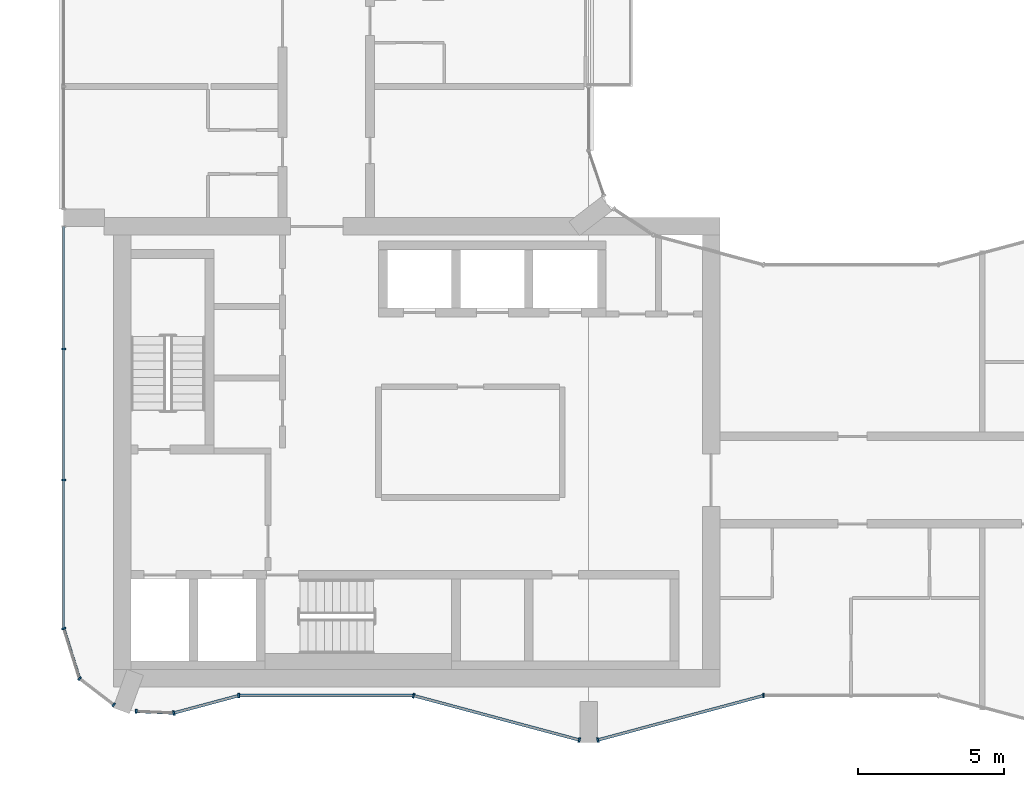
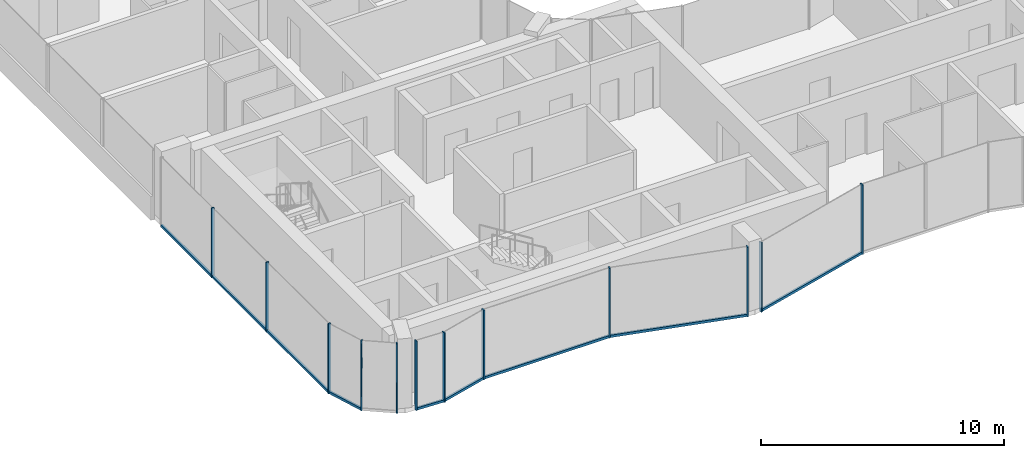
# One storey, part 2 of 15: 19 members, 9 elements without a shape of their own.
"""IFC4 building model written with IfcOpenShell, lengths in metres."""

from ifc_helpers import new_model, si_unit, direction, frame, origin, origin_2d, place, context, subcontext, project, spatial, rectangle, extrude, material, layer, layer_set, material_profile, profile_set, type_object, element, aggregate, save


model = new_model("IFC4")

# Units and contexts
model_context = context("Model", 3, precision=1e-05, world=origin(), true_north=direction((0.0, 1.0)))
body_context = subcontext(model_context, "Body", "Model", "MODEL_VIEW")
ifc_project = project(units=[si_unit("LENGTHUNIT", "METRE"), si_unit("AREAUNIT", "SQUARE_METRE"), si_unit("VOLUMEUNIT", "CUBIC_METRE"), si_unit("PLANEANGLEUNIT", "RADIAN"), si_unit("MASSUNIT", "GRAM", prefix="KILO")], contexts=[model_context])

# Site, building, storey
site_placement = place(None, origin())
site = spatial("IfcSite", under=ifc_project, at=site_placement, CompositionType="ELEMENT")
building_placement = place(site_placement, origin())
building = spatial("IfcBuilding", under=site, at=building_placement, Name="Plateau Cross Towers", CompositionType="ELEMENT")
storey_placement = place(building_placement, frame((0.0, 0.0, 156.89990234375)))
storey = spatial("IfcBuildingStorey", under=building, at=storey_placement, Name="L40", CompositionType="ELEMENT", Elevation=156.89990234375)

# Curtain wall, members
ifc_material_1 = material(Name="Dark low-iron glass", Category="glass")
ifc_layer_1 = layer(ifc_material_1, 0.239990234375)
ifc_layer_set_1 = layer_set([ifc_layer_1], Name="Dark low-iron glass")
curtain_wall_type_1 = type_object("IfcCurtainWallType", Name="Curtain wall flush unitised CW-B", PredefinedType="NOTDEFINED", material=ifc_layer_set_1)
curtain_wall_1_placement = place(storey_placement, origin())
curtain_wall_1 = element("IfcCurtainWall", 1, at=curtain_wall_1_placement, inside=storey, type_object=curtain_wall_type_1, Name="ENV/A/L40/A0_177", PredefinedType="NOTDEFINED")
ifc_material_2 = material(Name="Black anodised aluminium", Category="aluminium")
ifc_material_profile_1 = material_profile(ifc_material_2, rectangle(XDim=0.06005859375, YDim=0.139892578125, at=origin_2d()), Name="MULLION 60x140")
ifc_profile_set_1 = profile_set([ifc_material_profile_1], Name="Black anodised aluminium")
member_type_1 = type_object("IfcMemberType", Name="Mullion 60x140 flush unitised", PredefinedType="MULLION", material=ifc_profile_set_1)
member_1_placement = place(storey_placement, frame((0.0, 13.5, -0.25), z_axis=(0.0, 0.0, 1.0), x_axis=(0.0, -1.0, 0.0)))
member_1 = element("IfcMember", 2, at=member_1_placement, type_object=member_type_1, Name="CW-B mullion 2", PredefinedType="MULLION", context=body_context, shape_type="SweptSolid", body=[
    extrude(rectangle(XDim=0.06005859375, YDim=0.139892578125, at=origin_2d()), origin(), (0.0, 0.0, 1.0), 3.5),
])
member_2_placement = place(storey_placement, frame((0.0, 9.0, -0.25), z_axis=(0.0, 0.0, 1.0), x_axis=(0.0, -1.0, 0.0)))
member_2 = element("IfcMember", 3, at=member_2_placement, type_object=member_type_1, Name="CW-B mullion 3", PredefinedType="MULLION", context=body_context, shape_type="SweptSolid", body=[
    extrude(rectangle(XDim=0.06005859375, YDim=0.139892578125, at=origin_2d()), origin(), (0.0, 0.0, 1.0), 3.5),
])

# Curtain wall, member
curtain_wall_2_placement = place(storey_placement, origin())
curtain_wall_2 = element("IfcCurtainWall", 4, at=curtain_wall_2_placement, inside=storey, type_object=curtain_wall_type_1, Name="ENV/A/L40/A0_39", PredefinedType="NOTDEFINED")
member_3_placement = place(storey_placement, frame((0.0, 3.9091796875, -0.25), z_axis=(0.0, 0.0, 1.0), x_axis=(0.300686174994, -0.95372313811, 0.0)))
member_3 = element("IfcMember", 5, at=member_3_placement, type_object=member_type_1, Name="CW-B mullion 1", PredefinedType="MULLION", context=body_context, shape_type="SweptSolid", body=[
    extrude(rectangle(XDim=0.06005859375, YDim=0.139892578125, at=origin_2d()), origin(), (0.0, 0.0, 1.0), 3.5),
])

# Curtain wall, members
curtain_wall_3_placement = place(storey_placement, origin())
curtain_wall_3 = element("IfcCurtainWall", 6, at=curtain_wall_3_placement, inside=storey, type_object=curtain_wall_type_1, Name="ENV/A/L40/A5_22", PredefinedType="NOTDEFINED")
member_4_placement = place(storey_placement, frame((0.54248046875, 2.1884765625, -0.25), z_axis=(0.0, 0.0, 1.0), x_axis=(0.793315514529, -0.608810721331, 0.0)))
member_4 = element("IfcMember", 7, at=member_4_placement, type_object=member_type_1, Name="CW-B mullion 1", PredefinedType="MULLION", context=body_context, shape_type="SweptSolid", body=[
    extrude(rectangle(XDim=0.06005859375, YDim=0.139892578125, at=origin_2d()), origin(), (0.0, 0.0, 1.0), 3.5),
])
member_5_placement = place(storey_placement, frame((1.709716796875, 1.292724609375, -0.25), z_axis=(0.0, 0.0, 1.0), x_axis=(0.793315514529, -0.608810721331, 0.0)))
member_5 = element("IfcMember", 8, at=member_5_placement, type_object=member_type_1, Name="CW-B mullion 2", PredefinedType="MULLION", context=body_context, shape_type="SweptSolid", body=[
    extrude(rectangle(XDim=0.06005859375, YDim=0.139892578125, at=origin_2d()), origin(), (0.0, 0.0, 1.0), 3.5),
])
aggregate(curtain_wall_3, [member_4, member_5])

# Curtain wall, member
curtain_wall_4_placement = place(storey_placement, origin())
curtain_wall_4 = element("IfcCurtainWall", 9, at=curtain_wall_4_placement, inside=storey, type_object=curtain_wall_type_1, Name="ENV/A/L40/A25_11", PredefinedType="NOTDEFINED")
member_6_placement = place(storey_placement, frame((2.483642578125, 1.06787109375, -0.25), z_axis=(0.0, 0.0, 1.0), x_axis=(0.999043701491, -0.043722791671, 0.0)))
member_6 = element("IfcMember", 10, at=member_6_placement, type_object=member_type_1, Name="CW-B mullion 1", PredefinedType="MULLION", context=body_context, shape_type="SweptSolid", body=[
    extrude(rectangle(XDim=0.06005859375, YDim=0.139892578125, at=origin_2d()), origin(), (0.0, 0.0, 1.0), 3.5),
])

ifc_layer_2 = layer(ifc_material_1, 0.260009765625)
ifc_layer_set_2 = layer_set([ifc_layer_2], Name="Dark low-iron glass")
curtain_wall_type_2 = type_object("IfcCurtainWallType", Name="Curtain wall fluted unitised CW-A", PredefinedType="NOTDEFINED", material=ifc_layer_set_2)
curtain_wall_5_placement = place(storey_placement, origin())
curtain_wall_5 = element("IfcCurtainWall", 11, at=curtain_wall_5_placement, inside=storey, type_object=curtain_wall_type_2, Name="ENV/A/L40/A38_10", PredefinedType="NOTDEFINED")
ifc_material_profile_2 = material_profile(ifc_material_2, rectangle(XDim=0.06005859375, YDim=0.159912109375, at=origin_2d()), Name="MULLION 60x160")
ifc_profile_set_2 = profile_set([ifc_material_profile_2], Name="Black anodised aluminium")
member_type_2 = type_object("IfcMemberType", Name="Mullion 60x160 fluted unitised", PredefinedType="MULLION", material=ifc_profile_set_2)
member_7_placement = place(storey_placement, frame((3.776123046875, 1.01123046875, -0.25), z_axis=(0.0, 0.0, 1.0), x_axis=(0.965957962328, 0.258699081978, 0.0)))
member_7 = element("IfcMember", 12, at=member_7_placement, type_object=member_type_2, Name="CW-A mullion 1", PredefinedType="MULLION", context=body_context, shape_type="SweptSolid", body=[
    extrude(rectangle(XDim=0.06005859375, YDim=0.159912109375, at=origin_2d()), origin(), (0.0, 0.0, 1.0), 3.5),
])

curtain_wall_6_placement = place(storey_placement, origin())
curtain_wall_6 = element("IfcCurtainWall", 13, at=curtain_wall_6_placement, inside=storey, type_object=curtain_wall_type_2, Name="ENV/A/L40/A60_16", PredefinedType="NOTDEFINED")
member_8_placement = place(storey_placement, frame((6.0, 1.60693359375, -0.25), z_axis=(0.0, 0.0, 1.0), x_axis=(1.0, 0.0, 0.0)))
member_8 = element("IfcMember", 14, at=member_8_placement, type_object=member_type_2, Name="CW-A mullion 1", PredefinedType="MULLION", context=body_context, shape_type="SweptSolid", body=[
    extrude(rectangle(XDim=0.06005859375, YDim=0.159912109375, at=origin_2d()), origin(), (0.0, 0.0, 1.0), 3.5),
])

# Curtain wall, members
curtain_wall_7_placement = place(storey_placement, origin())
curtain_wall_7 = element("IfcCurtainWall", 15, at=curtain_wall_7_placement, inside=storey, type_object=curtain_wall_type_2, Name="ENV/A/L40/A120_16", PredefinedType="NOTDEFINED")
member_9_placement = place(storey_placement, frame((12.0, 1.60693359375, -0.25), z_axis=(0.0, 0.0, 1.0), x_axis=(0.965957983404, -0.258699003279, 0.0)))
member_9 = element("IfcMember", 16, at=member_9_placement, type_object=member_type_2, Name="CW-A mullion 1", PredefinedType="MULLION", context=body_context, shape_type="SweptSolid", body=[
    extrude(rectangle(XDim=0.06005859375, YDim=0.159912109375, at=origin_2d()), origin(), (0.0, 0.0, 1.0), 3.5),
])
member_10_placement = place(storey_placement, frame((17.68212890625, 0.085205078125, -0.25), z_axis=(0.0, 0.0, 1.0), x_axis=(0.965957983404, -0.258699003279, 0.0)))
member_10 = element("IfcMember", 17, at=member_10_placement, type_object=member_type_2, Name="CW-A mullion 2", PredefinedType="MULLION", context=body_context, shape_type="SweptSolid", body=[
    extrude(rectangle(XDim=0.06005859375, YDim=0.159912109375, at=origin_2d()), origin(), (0.0, 0.0, 1.0), 3.5),
])

# Curtain wall, member
curtain_wall_8_placement = place(storey_placement, origin())
curtain_wall_8 = element("IfcCurtainWall", 18, at=curtain_wall_8_placement, inside=storey, type_object=curtain_wall_type_2, Name="ENV/A/L40/A183_1", PredefinedType="NOTDEFINED")
member_11_placement = place(storey_placement, frame((18.31787109375, 0.085205078125, -0.25), z_axis=(0.0, 0.0, 1.0), x_axis=(0.965957983404, 0.258699003279, 0.0)))
member_11 = element("IfcMember", 19, at=member_11_placement, type_object=member_type_2, Name="CW-A mullion 1", PredefinedType="MULLION", context=body_context, shape_type="SweptSolid", body=[
    extrude(rectangle(XDim=0.06005859375, YDim=0.159912109375, at=origin_2d()), origin(), (0.0, 0.0, 1.0), 3.5),
])

curtain_wall_9_placement = place(storey_placement, origin())
curtain_wall_9 = element("IfcCurtainWall", 20, at=curtain_wall_9_placement, inside=storey, type_object=curtain_wall_type_2, Name="ENV/A/L40/A240_16", PredefinedType="NOTDEFINED")
member_12_placement = place(storey_placement, frame((24.0, 1.60693359375, -0.25), z_axis=(0.0, 0.0, 1.0), x_axis=(1.0, 0.0, 0.0)))
member_12 = element("IfcMember", 21, at=member_12_placement, type_object=member_type_2, Name="CW-A mullion 1", PredefinedType="MULLION", context=body_context, shape_type="SweptSolid", body=[
    extrude(rectangle(XDim=0.06005859375, YDim=0.159912109375, at=origin_2d()), origin(), (0.0, 0.0, 1.0), 3.5),
])
aggregate(curtain_wall_9, [member_12])

# Member
ifc_material_profile_3 = material_profile(ifc_material_2, rectangle(XDim=0.10009765625, YDim=0.1201171875, at=origin_2d()), Name="TRANSOM 100x120")
ifc_profile_set_3 = profile_set([ifc_material_profile_3], Name="Black anodised aluminium")
member_type_3 = type_object("IfcMemberType", Name="Transom 100x120 flush unitised", PredefinedType="USERDEFINED", material=ifc_profile_set_3)
member_13_placement = place(storey_placement, frame((0.0, 17.699951171875, -0.18994140625), z_axis=(0.0, -1.0, 0.0), x_axis=(1.0, 0.0, 0.0)))
member_13 = element("IfcMember", 22, at=member_13_placement, type_object=member_type_3, Name="CW-B transom", ObjectType="TRANSOM", PredefinedType="USERDEFINED", context=body_context, shape_type="SweptSolid", body=[
    extrude(rectangle(XDim=0.10009765625, YDim=0.1201171875, at=origin_2d()), origin(), (0.0, 0.0, 1.0), 13.790771484375),
])

aggregate(curtain_wall_1, [member_1, member_2, member_13])

member_14_placement = place(storey_placement, frame((0.0, 3.9091796875, -0.18994140625), z_axis=(0.30067799945, -0.953725715626, 0.0), x_axis=(0.953725715626, 0.30067799945, 0.0)))
member_14 = element("IfcMember", 23, at=member_14_placement, type_object=member_type_3, Name="CW-B transom", ObjectType="TRANSOM", PredefinedType="USERDEFINED", context=body_context, shape_type="SweptSolid", body=[
    extrude(rectangle(XDim=0.10009765625, YDim=0.1201171875, at=origin_2d()), origin(), (0.0, 0.0, 1.0), 1.80419921875),
])

aggregate(curtain_wall_2, [member_3, member_14])

member_15_placement = place(storey_placement, frame((2.483642578125, 1.06787109375, -0.18994140625), z_axis=(0.999041144614, -0.043781175963, 0.0), x_axis=(0.043781175963, 0.999041144614, 0.0)))
member_15 = element("IfcMember", 24, at=member_15_placement, type_object=member_type_3, Name="CW-B transom", ObjectType="TRANSOM", PredefinedType="USERDEFINED", context=body_context, shape_type="SweptSolid", body=[
    extrude(rectangle(XDim=0.10009765625, YDim=0.1201171875, at=origin_2d()), origin(), (0.0, 0.0, 1.0), 1.293701171875),
])

aggregate(curtain_wall_4, [member_6, member_15])

ifc_material_profile_4 = material_profile(ifc_material_2, rectangle(XDim=0.10009765625, YDim=0.1201171875, at=origin_2d()), Name="TRANSOM 100x120")
ifc_profile_set_4 = profile_set([ifc_material_profile_4], Name="Black anodised aluminium")
member_type_4 = type_object("IfcMemberType", Name="Transom 100x120 fluted unitised", PredefinedType="USERDEFINED", material=ifc_profile_set_4)
member_16_placement = place(storey_placement, frame((3.776123046875, 1.01123046875, -0.18994140625), z_axis=(0.965945685136, 0.258744919501, 0.0), x_axis=(-0.258744919501, 0.965945685136, 0.0)))
member_16 = element("IfcMember", 25, at=member_16_placement, type_object=member_type_4, Name="CW-A transom", ObjectType="TRANSOM", PredefinedType="USERDEFINED", context=body_context, shape_type="SweptSolid", body=[
    extrude(rectangle(XDim=0.10009765625, YDim=0.1201171875, at=origin_2d()), origin(), (0.0, 0.0, 1.0), 2.30224609375),
])

aggregate(curtain_wall_5, [member_7, member_16])

member_17_placement = place(storey_placement, frame((6.0, 1.60693359375, -0.18994140625), z_axis=(1.0, 0.0, 0.0), x_axis=(0.0, 1.0, 0.0)))
member_17 = element("IfcMember", 26, at=member_17_placement, type_object=member_type_4, Name="CW-A transom", ObjectType="TRANSOM", PredefinedType="USERDEFINED", context=body_context, shape_type="SweptSolid", body=[
    extrude(rectangle(XDim=0.10009765625, YDim=0.1201171875, at=origin_2d()), origin(), (0.0, 0.0, 1.0), 6.0),
])

aggregate(curtain_wall_6, [member_8, member_17])

member_18_placement = place(storey_placement, frame((12.0, 1.60693359375, -0.18994140625), z_axis=(0.965959534794, -0.258693210465, 0.0), x_axis=(0.258693210465, 0.965959534794, 0.0)))
member_18 = element("IfcMember", 27, at=member_18_placement, type_object=member_type_4, Name="CW-A transom", ObjectType="TRANSOM", PredefinedType="USERDEFINED", context=body_context, shape_type="SweptSolid", body=[
    extrude(rectangle(XDim=0.10009765625, YDim=0.1201171875, at=origin_2d()), origin(), (0.0, 0.0, 1.0), 5.88232421875),
])

aggregate(curtain_wall_7, [member_9, member_10, member_18])

member_19_placement = place(storey_placement, frame((18.31787109375, 0.085205078125, -0.18994140625), z_axis=(0.965959534794, 0.258693210465, 0.0), x_axis=(-0.258693210465, 0.965959534794, 0.0)))
member_19 = element("IfcMember", 28, at=member_19_placement, type_object=member_type_4, Name="CW-A transom", ObjectType="TRANSOM", PredefinedType="USERDEFINED", context=body_context, shape_type="SweptSolid", body=[
    extrude(rectangle(XDim=0.10009765625, YDim=0.1201171875, at=origin_2d()), origin(), (0.0, 0.0, 1.0), 5.88232421875),
])

aggregate(curtain_wall_8, [member_11, member_19])

save(model, "model.ifc")
